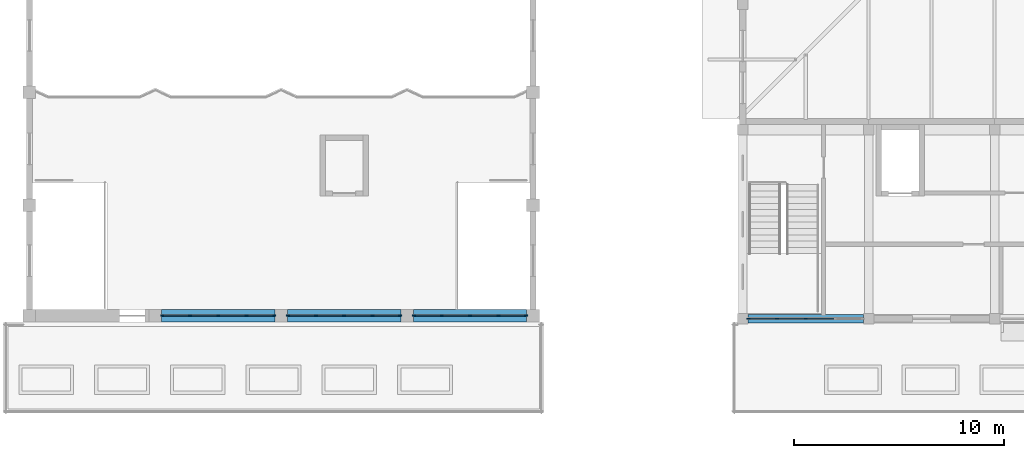
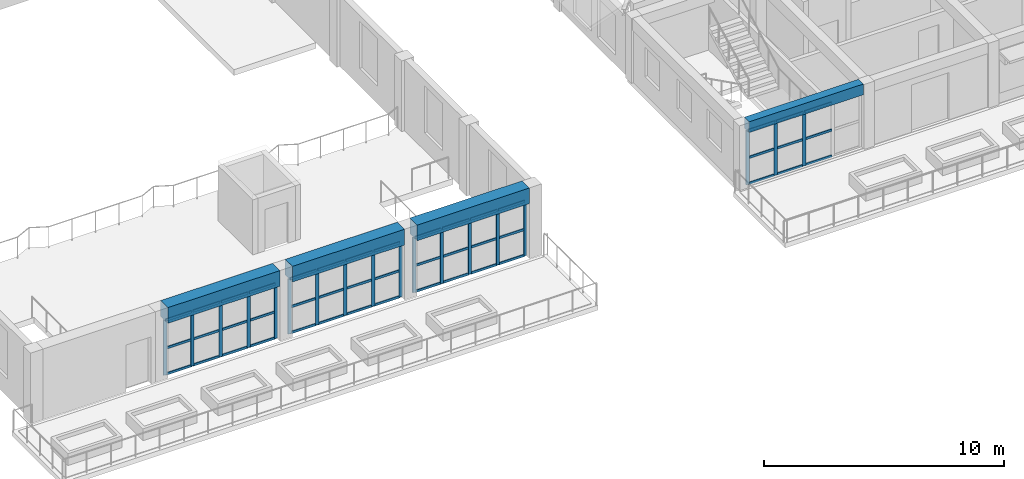
# One storey, part 7 of 82: 63 members, 4 beams, 4 elements without a shape of their own.
"""IFC4 building model written with IfcOpenShell, lengths in metres."""

from ifc_helpers import new_model, si_unit, direction, frame, origin, origin_2d, place, context, subcontext, project, spatial, rectangle, extrude, material, material_profile, profile_set, type_object, element, aggregate, save


model = new_model("IFC4")

# Units and contexts
model_context = context("Model", 3, precision=1e-05, world=origin(), true_north=direction((0.0, 1.0)))
body_context = subcontext(model_context, "Body", "Model", "MODEL_VIEW")
ifc_project = project(units=[si_unit("LENGTHUNIT", "METRE"), si_unit("AREAUNIT", "SQUARE_METRE"), si_unit("VOLUMEUNIT", "CUBIC_METRE"), si_unit("PLANEANGLEUNIT", "RADIAN"), si_unit("MASSUNIT", "GRAM", prefix="KILO")], contexts=[model_context])

# Site, building, storey
site_placement = place(None, origin())
site = spatial("IfcSite", under=ifc_project, at=site_placement, CompositionType="ELEMENT")
building_placement = place(site_placement, origin())
building = spatial("IfcBuilding", under=site, at=building_placement, Name="Elbe Cascade School", CompositionType="ELEMENT")
storey_placement = place(building_placement, frame((0.0, 0.0, 4.5)))
storey = spatial("IfcBuildingStorey", under=building, at=storey_placement, Name="L01", CompositionType="ELEMENT", Elevation=4.5)

# Beams
ifc_material_1 = material(Name="Concrete C30/37", Category="concrete")
ifc_material_profile_1 = material_profile(ifc_material_1, rectangle(XDim=0.39990234375, YDim=0.550048828125, at=origin_2d()), Name="RC 400x550")
ifc_profile_set_1 = profile_set([ifc_material_profile_1], Name="Concrete C30/37")
beam_type_1 = type_object("IfcBeamType", Name="Assembly hall beam RC 400x550", PredefinedType="BEAM", material=ifc_profile_set_1)
beam_placement = place(storey_placement, frame((39.25, 6.0, 3.02490234375), z_axis=(1.0, 0.0, 0.0), x_axis=(0.0, 1.0, 0.0)))
element("IfcBeam", 1, at=beam_placement, inside=storey, type_object=beam_type_1, Name="Assembly hall beam RC 400x550 B21", PredefinedType="BEAM", context=body_context, shape_type="SweptSolid", body=[
    extrude(rectangle(XDim=0.39990234375, YDim=0.550048828125, at=origin_2d()), origin(), (0.0, 0.0, 1.0), 5.5),
])
ifc_material_2 = material(Name="Concrete C30/37", Category="concrete")
ifc_material_profile_2 = material_profile(ifc_material_2, rectangle(XDim=0.60009765625, YDim=0.800048828125, at=origin_2d()), Name="RC 600x800")
ifc_profile_set_2 = profile_set([ifc_material_profile_2], Name="Concrete C30/37")
beam_type_2 = type_object("IfcBeamType", Name="Assembly hall beam RC 600x800", PredefinedType="BEAM", material=ifc_profile_set_2)
for number, where, z_axis, x_axis, name in (
    (2, (11.300048828125, 6.14990234375, 3.199951171875), (1.0, 0.0, 0.0), (0.0, 1.0, 0.0), "Assembly hall beam RC 600x800 B16"),
    (3, (17.300048828125, 6.14990234375, 3.199951171875), (1.0, 0.0, 0.0), (0.0, 1.0, 0.0), "Assembly hall beam RC 600x800 B16"),
    (4, (23.300048828125, 6.14990234375, 3.199951171875), (1.0, 0.0, 0.0), (0.0, 1.0, 0.0), "Assembly hall beam RC 600x800 B16"),
):
    element("IfcBeam", number, at=place(storey_placement, frame(where, z_axis=z_axis, x_axis=x_axis)), inside=storey, type_object=beam_type_2, Name=name, PredefinedType="BEAM", context=body_context, shape_type="SweptSolid", body=[
        extrude(rectangle(XDim=0.60009765625, YDim=0.800048828125, at=origin_2d()), origin(), (0.0, 0.0, 1.0), 5.39990234375),
    ])

# Curtain wall, members
ifc_material_3 = material(Name="Assembly hall curtain wall")
curtain_wall_type_1 = type_object("IfcCurtainWallType", Name="Assembly hall curtain wall", PredefinedType="NOTDEFINED", material=ifc_material_3)
curtain_wall_1_placement = place(storey_placement, origin())
curtain_wall_1 = element("IfcCurtainWall", 5, at=curtain_wall_1_placement, inside=storey, type_object=curtain_wall_type_1, Name="Curtain wall CW8 AU.L01.cw.s1", PredefinedType="NOTDEFINED")
ifc_material_4 = material(Name="Aluminium - bronze anodised", Category="aluminium")
ifc_material_profile_3 = material_profile(ifc_material_4, rectangle(XDim=0.06005859375, YDim=0.159912109375, at=origin_2d()), Name="RECT 60x160")
ifc_profile_set_3 = profile_set([ifc_material_profile_3], Name="Aluminium - bronze anodised")
member_type_1 = type_object("IfcMemberType", Name="Assembly hall curtain wall mullion 60 x 160", PredefinedType="MULLION", material=ifc_profile_set_3)
member_1_placement = place(storey_placement, frame((11.330078125, 6.14990234375, 0.0), z_axis=(0.0, 0.0, 1.0), x_axis=(0.0, 1.0, 0.0)))
member_1 = element("IfcMember", 6, at=member_1_placement, type_object=member_type_1, Name="CW8 mullion 1", PredefinedType="MULLION", context=body_context, shape_type="SweptSolid", body=[
    extrude(rectangle(XDim=0.06005859375, YDim=0.159912109375, at=origin_2d()), origin(), (0.0, 0.0, 1.0), 2.800048828125),
])
member_2_placement = place(storey_placement, frame((12.64990234375, 6.14990234375, 0.0), z_axis=(0.0, 0.0, 1.0), x_axis=(0.0, 1.0, 0.0)))
member_2 = element("IfcMember", 7, at=member_2_placement, type_object=member_type_1, Name="CW8 mullion 2", PredefinedType="MULLION", context=body_context, shape_type="SweptSolid", body=[
    extrude(rectangle(XDim=0.06005859375, YDim=0.159912109375, at=origin_2d()), origin(), (0.0, 0.0, 1.0), 2.800048828125),
])
member_3_placement = place(storey_placement, frame((14.0, 6.14990234375, 0.0), z_axis=(0.0, 0.0, 1.0), x_axis=(0.0, 1.0, 0.0)))
member_3 = element("IfcMember", 8, at=member_3_placement, type_object=member_type_1, Name="CW8 mullion 3", PredefinedType="MULLION", context=body_context, shape_type="SweptSolid", body=[
    extrude(rectangle(XDim=0.06005859375, YDim=0.159912109375, at=origin_2d()), origin(), (0.0, 0.0, 1.0), 2.800048828125),
])
member_4_placement = place(storey_placement, frame((15.35009765625, 6.14990234375, 0.0), z_axis=(0.0, 0.0, 1.0), x_axis=(0.0, 1.0, 0.0)))
member_4 = element("IfcMember", 9, at=member_4_placement, type_object=member_type_1, Name="CW8 mullion 4", PredefinedType="MULLION", context=body_context, shape_type="SweptSolid", body=[
    extrude(rectangle(XDim=0.06005859375, YDim=0.159912109375, at=origin_2d()), origin(), (0.0, 0.0, 1.0), 2.800048828125),
])
member_5_placement = place(storey_placement, frame((16.669921875, 6.14990234375, 0.0), z_axis=(0.0, 0.0, 1.0), x_axis=(0.0, 1.0, 0.0)))
member_5 = element("IfcMember", 10, at=member_5_placement, type_object=member_type_1, Name="CW8 mullion 5", PredefinedType="MULLION", context=body_context, shape_type="SweptSolid", body=[
    extrude(rectangle(XDim=0.06005859375, YDim=0.159912109375, at=origin_2d()), origin(), (0.0, 0.0, 1.0), 2.800048828125),
])

curtain_wall_2_placement = place(storey_placement, origin())
curtain_wall_2 = element("IfcCurtainWall", 11, at=curtain_wall_2_placement, inside=storey, type_object=curtain_wall_type_1, Name="Curtain wall CW8 AU.L01.cw.s2", PredefinedType="NOTDEFINED")
member_6_placement = place(storey_placement, frame((17.330078125, 6.14990234375, 0.0), z_axis=(0.0, 0.0, 1.0), x_axis=(0.0, 1.0, 0.0)))
member_6 = element("IfcMember", 12, at=member_6_placement, type_object=member_type_1, Name="CW8 mullion 1", PredefinedType="MULLION", context=body_context, shape_type="SweptSolid", body=[
    extrude(rectangle(XDim=0.06005859375, YDim=0.159912109375, at=origin_2d()), origin(), (0.0, 0.0, 1.0), 2.800048828125),
])
member_7_placement = place(storey_placement, frame((18.64990234375, 6.14990234375, 0.0), z_axis=(0.0, 0.0, 1.0), x_axis=(0.0, 1.0, 0.0)))
member_7 = element("IfcMember", 13, at=member_7_placement, type_object=member_type_1, Name="CW8 mullion 2", PredefinedType="MULLION", context=body_context, shape_type="SweptSolid", body=[
    extrude(rectangle(XDim=0.06005859375, YDim=0.159912109375, at=origin_2d()), origin(), (0.0, 0.0, 1.0), 2.800048828125),
])
member_8_placement = place(storey_placement, frame((20.0, 6.14990234375, 0.0), z_axis=(0.0, 0.0, 1.0), x_axis=(0.0, 1.0, 0.0)))
member_8 = element("IfcMember", 14, at=member_8_placement, type_object=member_type_1, Name="CW8 mullion 3", PredefinedType="MULLION", context=body_context, shape_type="SweptSolid", body=[
    extrude(rectangle(XDim=0.06005859375, YDim=0.159912109375, at=origin_2d()), origin(), (0.0, 0.0, 1.0), 2.800048828125),
])
member_9_placement = place(storey_placement, frame((21.35009765625, 6.14990234375, 0.0), z_axis=(0.0, 0.0, 1.0), x_axis=(0.0, 1.0, 0.0)))
member_9 = element("IfcMember", 15, at=member_9_placement, type_object=member_type_1, Name="CW8 mullion 4", PredefinedType="MULLION", context=body_context, shape_type="SweptSolid", body=[
    extrude(rectangle(XDim=0.06005859375, YDim=0.159912109375, at=origin_2d()), origin(), (0.0, 0.0, 1.0), 2.800048828125),
])
member_10_placement = place(storey_placement, frame((22.669921875, 6.14990234375, 0.0), z_axis=(0.0, 0.0, 1.0), x_axis=(0.0, 1.0, 0.0)))
member_10 = element("IfcMember", 16, at=member_10_placement, type_object=member_type_1, Name="CW8 mullion 5", PredefinedType="MULLION", context=body_context, shape_type="SweptSolid", body=[
    extrude(rectangle(XDim=0.06005859375, YDim=0.159912109375, at=origin_2d()), origin(), (0.0, 0.0, 1.0), 2.800048828125),
])

curtain_wall_3_placement = place(storey_placement, origin())
curtain_wall_3 = element("IfcCurtainWall", 17, at=curtain_wall_3_placement, inside=storey, type_object=curtain_wall_type_1, Name="Curtain wall CW8 AU.L01.cw.s3", PredefinedType="NOTDEFINED")
member_11_placement = place(storey_placement, frame((23.330078125, 6.14990234375, 0.0), z_axis=(0.0, 0.0, 1.0), x_axis=(0.0, 1.0, 0.0)))
member_11 = element("IfcMember", 18, at=member_11_placement, type_object=member_type_1, Name="CW8 mullion 1", PredefinedType="MULLION", context=body_context, shape_type="SweptSolid", body=[
    extrude(rectangle(XDim=0.06005859375, YDim=0.159912109375, at=origin_2d()), origin(), (0.0, 0.0, 1.0), 2.800048828125),
])
member_12_placement = place(storey_placement, frame((24.64990234375, 6.14990234375, 0.0), z_axis=(0.0, 0.0, 1.0), x_axis=(0.0, 1.0, 0.0)))
member_12 = element("IfcMember", 19, at=member_12_placement, type_object=member_type_1, Name="CW8 mullion 2", PredefinedType="MULLION", context=body_context, shape_type="SweptSolid", body=[
    extrude(rectangle(XDim=0.06005859375, YDim=0.159912109375, at=origin_2d()), origin(), (0.0, 0.0, 1.0), 2.800048828125),
])
member_13_placement = place(storey_placement, frame((26.0, 6.14990234375, 0.0), z_axis=(0.0, 0.0, 1.0), x_axis=(0.0, 1.0, 0.0)))
member_13 = element("IfcMember", 20, at=member_13_placement, type_object=member_type_1, Name="CW8 mullion 3", PredefinedType="MULLION", context=body_context, shape_type="SweptSolid", body=[
    extrude(rectangle(XDim=0.06005859375, YDim=0.159912109375, at=origin_2d()), origin(), (0.0, 0.0, 1.0), 2.800048828125),
])
member_14_placement = place(storey_placement, frame((27.35009765625, 6.14990234375, 0.0), z_axis=(0.0, 0.0, 1.0), x_axis=(0.0, 1.0, 0.0)))
member_14 = element("IfcMember", 21, at=member_14_placement, type_object=member_type_1, Name="CW8 mullion 4", PredefinedType="MULLION", context=body_context, shape_type="SweptSolid", body=[
    extrude(rectangle(XDim=0.06005859375, YDim=0.159912109375, at=origin_2d()), origin(), (0.0, 0.0, 1.0), 2.800048828125),
])
member_15_placement = place(storey_placement, frame((28.669921875, 6.14990234375, 0.0), z_axis=(0.0, 0.0, 1.0), x_axis=(0.0, 1.0, 0.0)))
member_15 = element("IfcMember", 22, at=member_15_placement, type_object=member_type_1, Name="CW8 mullion 5", PredefinedType="MULLION", context=body_context, shape_type="SweptSolid", body=[
    extrude(rectangle(XDim=0.06005859375, YDim=0.159912109375, at=origin_2d()), origin(), (0.0, 0.0, 1.0), 2.800048828125),
])

# Member
ifc_material_5 = material(Name="Aluminium - bronze anodised", Category="aluminium")
ifc_material_profile_4 = material_profile(ifc_material_5, rectangle(XDim=0.06005859375, YDim=0.1201171875, at=origin_2d()), Name="RECT 60x120")
ifc_profile_set_4 = profile_set([ifc_material_profile_4], Name="Aluminium - bronze anodised")
member_type_2 = type_object("IfcMemberType", Name="Assembly hall curtain wall transom 60 x 120", PredefinedType="USERDEFINED", material=ifc_profile_set_4)
member_16_placement = place(storey_placement, frame((11.360107421875, 6.14990234375, 0.030029296875), z_axis=(1.0, 0.0, 0.0), x_axis=(0.0, 1.0, 0.0)))
member_16 = element("IfcMember", 23, at=member_16_placement, type_object=member_type_2, Name="CW8 transom 1.1", ObjectType="TRANSOM", PredefinedType="USERDEFINED", context=body_context, shape_type="SweptSolid", body=[
    extrude(rectangle(XDim=0.06005859375, YDim=0.1201171875, at=origin_2d()), origin(), (0.0, 0.0, 1.0), 1.260009765625),
])

member_17_placement = place(storey_placement, frame((11.360107421875, 6.14990234375, 1.35009765625), z_axis=(1.0, 0.0, 0.0), x_axis=(0.0, 1.0, 0.0)))
member_17 = element("IfcMember", 24, at=member_17_placement, type_object=member_type_2, Name="CW8 transom 1.2", ObjectType="TRANSOM", PredefinedType="USERDEFINED", context=body_context, shape_type="SweptSolid", body=[
    extrude(rectangle(XDim=0.06005859375, YDim=0.1201171875, at=origin_2d()), origin(), (0.0, 0.0, 1.0), 1.260009765625),
])

member_18_placement = place(storey_placement, frame((11.360107421875, 6.14990234375, 2.77001953125), z_axis=(1.0, 0.0, 0.0), x_axis=(0.0, 1.0, 0.0)))
member_18 = element("IfcMember", 25, at=member_18_placement, type_object=member_type_2, Name="CW8 transom 1.3", ObjectType="TRANSOM", PredefinedType="USERDEFINED", context=body_context, shape_type="SweptSolid", body=[
    extrude(rectangle(XDim=0.06005859375, YDim=0.1201171875, at=origin_2d()), origin(), (0.0, 0.0, 1.0), 1.260009765625),
])

member_19_placement = place(storey_placement, frame((12.679931640625, 6.14990234375, 0.030029296875), z_axis=(1.0, 0.0, 0.0), x_axis=(0.0, 1.0, 0.0)))
member_19 = element("IfcMember", 26, at=member_19_placement, type_object=member_type_2, Name="CW8 transom 2.1", ObjectType="TRANSOM", PredefinedType="USERDEFINED", context=body_context, shape_type="SweptSolid", body=[
    extrude(rectangle(XDim=0.06005859375, YDim=0.1201171875, at=origin_2d()), origin(), (0.0, 0.0, 1.0), 1.2900390625),
])

member_20_placement = place(storey_placement, frame((12.679931640625, 6.14990234375, 1.35009765625), z_axis=(1.0, 0.0, 0.0), x_axis=(0.0, 1.0, 0.0)))
member_20 = element("IfcMember", 27, at=member_20_placement, type_object=member_type_2, Name="CW8 transom 2.2", ObjectType="TRANSOM", PredefinedType="USERDEFINED", context=body_context, shape_type="SweptSolid", body=[
    extrude(rectangle(XDim=0.06005859375, YDim=0.1201171875, at=origin_2d()), origin(), (0.0, 0.0, 1.0), 1.2900390625),
])

member_21_placement = place(storey_placement, frame((12.679931640625, 6.14990234375, 2.77001953125), z_axis=(1.0, 0.0, 0.0), x_axis=(0.0, 1.0, 0.0)))
member_21 = element("IfcMember", 28, at=member_21_placement, type_object=member_type_2, Name="CW8 transom 2.3", ObjectType="TRANSOM", PredefinedType="USERDEFINED", context=body_context, shape_type="SweptSolid", body=[
    extrude(rectangle(XDim=0.06005859375, YDim=0.1201171875, at=origin_2d()), origin(), (0.0, 0.0, 1.0), 1.2900390625),
])

member_22_placement = place(storey_placement, frame((14.030029296875, 6.14990234375, 0.030029296875), z_axis=(1.0, 0.0, 0.0), x_axis=(0.0, 1.0, 0.0)))
member_22 = element("IfcMember", 29, at=member_22_placement, type_object=member_type_2, Name="CW8 transom 3.1", ObjectType="TRANSOM", PredefinedType="USERDEFINED", context=body_context, shape_type="SweptSolid", body=[
    extrude(rectangle(XDim=0.06005859375, YDim=0.1201171875, at=origin_2d()), origin(), (0.0, 0.0, 1.0), 1.2900390625),
])

member_23_placement = place(storey_placement, frame((14.030029296875, 6.14990234375, 1.35009765625), z_axis=(1.0, 0.0, 0.0), x_axis=(0.0, 1.0, 0.0)))
member_23 = element("IfcMember", 30, at=member_23_placement, type_object=member_type_2, Name="CW8 transom 3.2", ObjectType="TRANSOM", PredefinedType="USERDEFINED", context=body_context, shape_type="SweptSolid", body=[
    extrude(rectangle(XDim=0.06005859375, YDim=0.1201171875, at=origin_2d()), origin(), (0.0, 0.0, 1.0), 1.2900390625),
])

member_24_placement = place(storey_placement, frame((14.030029296875, 6.14990234375, 2.77001953125), z_axis=(1.0, 0.0, 0.0), x_axis=(0.0, 1.0, 0.0)))
member_24 = element("IfcMember", 31, at=member_24_placement, type_object=member_type_2, Name="CW8 transom 3.3", ObjectType="TRANSOM", PredefinedType="USERDEFINED", context=body_context, shape_type="SweptSolid", body=[
    extrude(rectangle(XDim=0.06005859375, YDim=0.1201171875, at=origin_2d()), origin(), (0.0, 0.0, 1.0), 1.2900390625),
])

member_25_placement = place(storey_placement, frame((15.3798828125, 6.14990234375, 0.030029296875), z_axis=(1.0, 0.0, 0.0), x_axis=(0.0, 1.0, 0.0)))
member_25 = element("IfcMember", 32, at=member_25_placement, type_object=member_type_2, Name="CW8 transom 4.1", ObjectType="TRANSOM", PredefinedType="USERDEFINED", context=body_context, shape_type="SweptSolid", body=[
    extrude(rectangle(XDim=0.06005859375, YDim=0.1201171875, at=origin_2d()), origin(), (0.0, 0.0, 1.0), 1.260009765625),
])

member_26_placement = place(storey_placement, frame((15.3798828125, 6.14990234375, 1.35009765625), z_axis=(1.0, 0.0, 0.0), x_axis=(0.0, 1.0, 0.0)))
member_26 = element("IfcMember", 33, at=member_26_placement, type_object=member_type_2, Name="CW8 transom 4.2", ObjectType="TRANSOM", PredefinedType="USERDEFINED", context=body_context, shape_type="SweptSolid", body=[
    extrude(rectangle(XDim=0.06005859375, YDim=0.1201171875, at=origin_2d()), origin(), (0.0, 0.0, 1.0), 1.260009765625),
])

member_27_placement = place(storey_placement, frame((15.3798828125, 6.14990234375, 2.77001953125), z_axis=(1.0, 0.0, 0.0), x_axis=(0.0, 1.0, 0.0)))
member_27 = element("IfcMember", 34, at=member_27_placement, type_object=member_type_2, Name="CW8 transom 4.3", ObjectType="TRANSOM", PredefinedType="USERDEFINED", context=body_context, shape_type="SweptSolid", body=[
    extrude(rectangle(XDim=0.06005859375, YDim=0.1201171875, at=origin_2d()), origin(), (0.0, 0.0, 1.0), 1.260009765625),
])

aggregate(curtain_wall_1, [member_1, member_2, member_3, member_4, member_5, member_16, member_17, member_18, member_19, member_20, member_21, member_22, member_23, member_24, member_25, member_26, member_27])

member_28_placement = place(storey_placement, frame((17.360107421875, 6.14990234375, 0.030029296875), z_axis=(1.0, 0.0, 0.0), x_axis=(0.0, 1.0, 0.0)))
member_28 = element("IfcMember", 35, at=member_28_placement, type_object=member_type_2, Name="CW8 transom 1.1", ObjectType="TRANSOM", PredefinedType="USERDEFINED", context=body_context, shape_type="SweptSolid", body=[
    extrude(rectangle(XDim=0.06005859375, YDim=0.1201171875, at=origin_2d()), origin(), (0.0, 0.0, 1.0), 1.260009765625),
])

member_29_placement = place(storey_placement, frame((17.360107421875, 6.14990234375, 1.35009765625), z_axis=(1.0, 0.0, 0.0), x_axis=(0.0, 1.0, 0.0)))
member_29 = element("IfcMember", 36, at=member_29_placement, type_object=member_type_2, Name="CW8 transom 1.2", ObjectType="TRANSOM", PredefinedType="USERDEFINED", context=body_context, shape_type="SweptSolid", body=[
    extrude(rectangle(XDim=0.06005859375, YDim=0.1201171875, at=origin_2d()), origin(), (0.0, 0.0, 1.0), 1.260009765625),
])

member_30_placement = place(storey_placement, frame((17.360107421875, 6.14990234375, 2.77001953125), z_axis=(1.0, 0.0, 0.0), x_axis=(0.0, 1.0, 0.0)))
member_30 = element("IfcMember", 37, at=member_30_placement, type_object=member_type_2, Name="CW8 transom 1.3", ObjectType="TRANSOM", PredefinedType="USERDEFINED", context=body_context, shape_type="SweptSolid", body=[
    extrude(rectangle(XDim=0.06005859375, YDim=0.1201171875, at=origin_2d()), origin(), (0.0, 0.0, 1.0), 1.260009765625),
])

member_31_placement = place(storey_placement, frame((18.679931640625, 6.14990234375, 0.030029296875), z_axis=(1.0, 0.0, 0.0), x_axis=(0.0, 1.0, 0.0)))
member_31 = element("IfcMember", 38, at=member_31_placement, type_object=member_type_2, Name="CW8 transom 2.1", ObjectType="TRANSOM", PredefinedType="USERDEFINED", context=body_context, shape_type="SweptSolid", body=[
    extrude(rectangle(XDim=0.06005859375, YDim=0.1201171875, at=origin_2d()), origin(), (0.0, 0.0, 1.0), 1.2900390625),
])

member_32_placement = place(storey_placement, frame((18.679931640625, 6.14990234375, 1.35009765625), z_axis=(1.0, 0.0, 0.0), x_axis=(0.0, 1.0, 0.0)))
member_32 = element("IfcMember", 39, at=member_32_placement, type_object=member_type_2, Name="CW8 transom 2.2", ObjectType="TRANSOM", PredefinedType="USERDEFINED", context=body_context, shape_type="SweptSolid", body=[
    extrude(rectangle(XDim=0.06005859375, YDim=0.1201171875, at=origin_2d()), origin(), (0.0, 0.0, 1.0), 1.2900390625),
])

member_33_placement = place(storey_placement, frame((18.679931640625, 6.14990234375, 2.77001953125), z_axis=(1.0, 0.0, 0.0), x_axis=(0.0, 1.0, 0.0)))
member_33 = element("IfcMember", 40, at=member_33_placement, type_object=member_type_2, Name="CW8 transom 2.3", ObjectType="TRANSOM", PredefinedType="USERDEFINED", context=body_context, shape_type="SweptSolid", body=[
    extrude(rectangle(XDim=0.06005859375, YDim=0.1201171875, at=origin_2d()), origin(), (0.0, 0.0, 1.0), 1.2900390625),
])

member_34_placement = place(storey_placement, frame((20.030029296875, 6.14990234375, 0.030029296875), z_axis=(1.0, 0.0, 0.0), x_axis=(0.0, 1.0, 0.0)))
member_34 = element("IfcMember", 41, at=member_34_placement, type_object=member_type_2, Name="CW8 transom 3.1", ObjectType="TRANSOM", PredefinedType="USERDEFINED", context=body_context, shape_type="SweptSolid", body=[
    extrude(rectangle(XDim=0.06005859375, YDim=0.1201171875, at=origin_2d()), origin(), (0.0, 0.0, 1.0), 1.2900390625),
])

member_35_placement = place(storey_placement, frame((20.030029296875, 6.14990234375, 1.35009765625), z_axis=(1.0, 0.0, 0.0), x_axis=(0.0, 1.0, 0.0)))
member_35 = element("IfcMember", 42, at=member_35_placement, type_object=member_type_2, Name="CW8 transom 3.2", ObjectType="TRANSOM", PredefinedType="USERDEFINED", context=body_context, shape_type="SweptSolid", body=[
    extrude(rectangle(XDim=0.06005859375, YDim=0.1201171875, at=origin_2d()), origin(), (0.0, 0.0, 1.0), 1.2900390625),
])

member_36_placement = place(storey_placement, frame((20.030029296875, 6.14990234375, 2.77001953125), z_axis=(1.0, 0.0, 0.0), x_axis=(0.0, 1.0, 0.0)))
member_36 = element("IfcMember", 43, at=member_36_placement, type_object=member_type_2, Name="CW8 transom 3.3", ObjectType="TRANSOM", PredefinedType="USERDEFINED", context=body_context, shape_type="SweptSolid", body=[
    extrude(rectangle(XDim=0.06005859375, YDim=0.1201171875, at=origin_2d()), origin(), (0.0, 0.0, 1.0), 1.2900390625),
])

member_37_placement = place(storey_placement, frame((21.3798828125, 6.14990234375, 0.030029296875), z_axis=(1.0, 0.0, 0.0), x_axis=(0.0, 1.0, 0.0)))
member_37 = element("IfcMember", 44, at=member_37_placement, type_object=member_type_2, Name="CW8 transom 4.1", ObjectType="TRANSOM", PredefinedType="USERDEFINED", context=body_context, shape_type="SweptSolid", body=[
    extrude(rectangle(XDim=0.06005859375, YDim=0.1201171875, at=origin_2d()), origin(), (0.0, 0.0, 1.0), 1.260009765625),
])

member_38_placement = place(storey_placement, frame((21.3798828125, 6.14990234375, 1.35009765625), z_axis=(1.0, 0.0, 0.0), x_axis=(0.0, 1.0, 0.0)))
member_38 = element("IfcMember", 45, at=member_38_placement, type_object=member_type_2, Name="CW8 transom 4.2", ObjectType="TRANSOM", PredefinedType="USERDEFINED", context=body_context, shape_type="SweptSolid", body=[
    extrude(rectangle(XDim=0.06005859375, YDim=0.1201171875, at=origin_2d()), origin(), (0.0, 0.0, 1.0), 1.260009765625),
])

member_39_placement = place(storey_placement, frame((21.3798828125, 6.14990234375, 2.77001953125), z_axis=(1.0, 0.0, 0.0), x_axis=(0.0, 1.0, 0.0)))
member_39 = element("IfcMember", 46, at=member_39_placement, type_object=member_type_2, Name="CW8 transom 4.3", ObjectType="TRANSOM", PredefinedType="USERDEFINED", context=body_context, shape_type="SweptSolid", body=[
    extrude(rectangle(XDim=0.06005859375, YDim=0.1201171875, at=origin_2d()), origin(), (0.0, 0.0, 1.0), 1.260009765625),
])

aggregate(curtain_wall_2, [member_6, member_7, member_8, member_9, member_10, member_28, member_29, member_30, member_31, member_32, member_33, member_34, member_35, member_36, member_37, member_38, member_39])

member_40_placement = place(storey_placement, frame((23.360107421875, 6.14990234375, 0.030029296875), z_axis=(1.0, 0.0, 0.0), x_axis=(0.0, 1.0, 0.0)))
member_40 = element("IfcMember", 47, at=member_40_placement, type_object=member_type_2, Name="CW8 transom 1.1", ObjectType="TRANSOM", PredefinedType="USERDEFINED", context=body_context, shape_type="SweptSolid", body=[
    extrude(rectangle(XDim=0.06005859375, YDim=0.1201171875, at=origin_2d()), origin(), (0.0, 0.0, 1.0), 1.260009765625),
])

member_41_placement = place(storey_placement, frame((23.360107421875, 6.14990234375, 1.35009765625), z_axis=(1.0, 0.0, 0.0), x_axis=(0.0, 1.0, 0.0)))
member_41 = element("IfcMember", 48, at=member_41_placement, type_object=member_type_2, Name="CW8 transom 1.2", ObjectType="TRANSOM", PredefinedType="USERDEFINED", context=body_context, shape_type="SweptSolid", body=[
    extrude(rectangle(XDim=0.06005859375, YDim=0.1201171875, at=origin_2d()), origin(), (0.0, 0.0, 1.0), 1.260009765625),
])

member_42_placement = place(storey_placement, frame((23.360107421875, 6.14990234375, 2.77001953125), z_axis=(1.0, 0.0, 0.0), x_axis=(0.0, 1.0, 0.0)))
member_42 = element("IfcMember", 49, at=member_42_placement, type_object=member_type_2, Name="CW8 transom 1.3", ObjectType="TRANSOM", PredefinedType="USERDEFINED", context=body_context, shape_type="SweptSolid", body=[
    extrude(rectangle(XDim=0.06005859375, YDim=0.1201171875, at=origin_2d()), origin(), (0.0, 0.0, 1.0), 1.260009765625),
])

member_43_placement = place(storey_placement, frame((24.679931640625, 6.14990234375, 0.030029296875), z_axis=(1.0, 0.0, 0.0), x_axis=(0.0, 1.0, 0.0)))
member_43 = element("IfcMember", 50, at=member_43_placement, type_object=member_type_2, Name="CW8 transom 2.1", ObjectType="TRANSOM", PredefinedType="USERDEFINED", context=body_context, shape_type="SweptSolid", body=[
    extrude(rectangle(XDim=0.06005859375, YDim=0.1201171875, at=origin_2d()), origin(), (0.0, 0.0, 1.0), 1.2900390625),
])

member_44_placement = place(storey_placement, frame((24.679931640625, 6.14990234375, 1.35009765625), z_axis=(1.0, 0.0, 0.0), x_axis=(0.0, 1.0, 0.0)))
member_44 = element("IfcMember", 51, at=member_44_placement, type_object=member_type_2, Name="CW8 transom 2.2", ObjectType="TRANSOM", PredefinedType="USERDEFINED", context=body_context, shape_type="SweptSolid", body=[
    extrude(rectangle(XDim=0.06005859375, YDim=0.1201171875, at=origin_2d()), origin(), (0.0, 0.0, 1.0), 1.2900390625),
])

member_45_placement = place(storey_placement, frame((24.679931640625, 6.14990234375, 2.77001953125), z_axis=(1.0, 0.0, 0.0), x_axis=(0.0, 1.0, 0.0)))
member_45 = element("IfcMember", 52, at=member_45_placement, type_object=member_type_2, Name="CW8 transom 2.3", ObjectType="TRANSOM", PredefinedType="USERDEFINED", context=body_context, shape_type="SweptSolid", body=[
    extrude(rectangle(XDim=0.06005859375, YDim=0.1201171875, at=origin_2d()), origin(), (0.0, 0.0, 1.0), 1.2900390625),
])

member_46_placement = place(storey_placement, frame((26.030029296875, 6.14990234375, 0.030029296875), z_axis=(1.0, 0.0, 0.0), x_axis=(0.0, 1.0, 0.0)))
member_46 = element("IfcMember", 53, at=member_46_placement, type_object=member_type_2, Name="CW8 transom 3.1", ObjectType="TRANSOM", PredefinedType="USERDEFINED", context=body_context, shape_type="SweptSolid", body=[
    extrude(rectangle(XDim=0.06005859375, YDim=0.1201171875, at=origin_2d()), origin(), (0.0, 0.0, 1.0), 1.2900390625),
])

member_47_placement = place(storey_placement, frame((26.030029296875, 6.14990234375, 1.35009765625), z_axis=(1.0, 0.0, 0.0), x_axis=(0.0, 1.0, 0.0)))
member_47 = element("IfcMember", 54, at=member_47_placement, type_object=member_type_2, Name="CW8 transom 3.2", ObjectType="TRANSOM", PredefinedType="USERDEFINED", context=body_context, shape_type="SweptSolid", body=[
    extrude(rectangle(XDim=0.06005859375, YDim=0.1201171875, at=origin_2d()), origin(), (0.0, 0.0, 1.0), 1.2900390625),
])

member_48_placement = place(storey_placement, frame((26.030029296875, 6.14990234375, 2.77001953125), z_axis=(1.0, 0.0, 0.0), x_axis=(0.0, 1.0, 0.0)))
member_48 = element("IfcMember", 55, at=member_48_placement, type_object=member_type_2, Name="CW8 transom 3.3", ObjectType="TRANSOM", PredefinedType="USERDEFINED", context=body_context, shape_type="SweptSolid", body=[
    extrude(rectangle(XDim=0.06005859375, YDim=0.1201171875, at=origin_2d()), origin(), (0.0, 0.0, 1.0), 1.2900390625),
])

member_49_placement = place(storey_placement, frame((27.3798828125, 6.14990234375, 0.030029296875), z_axis=(1.0, 0.0, 0.0), x_axis=(0.0, 1.0, 0.0)))
member_49 = element("IfcMember", 56, at=member_49_placement, type_object=member_type_2, Name="CW8 transom 4.1", ObjectType="TRANSOM", PredefinedType="USERDEFINED", context=body_context, shape_type="SweptSolid", body=[
    extrude(rectangle(XDim=0.06005859375, YDim=0.1201171875, at=origin_2d()), origin(), (0.0, 0.0, 1.0), 1.260009765625),
])

member_50_placement = place(storey_placement, frame((27.3798828125, 6.14990234375, 1.35009765625), z_axis=(1.0, 0.0, 0.0), x_axis=(0.0, 1.0, 0.0)))
member_50 = element("IfcMember", 57, at=member_50_placement, type_object=member_type_2, Name="CW8 transom 4.2", ObjectType="TRANSOM", PredefinedType="USERDEFINED", context=body_context, shape_type="SweptSolid", body=[
    extrude(rectangle(XDim=0.06005859375, YDim=0.1201171875, at=origin_2d()), origin(), (0.0, 0.0, 1.0), 1.260009765625),
])

member_51_placement = place(storey_placement, frame((27.3798828125, 6.14990234375, 2.77001953125), z_axis=(1.0, 0.0, 0.0), x_axis=(0.0, 1.0, 0.0)))
member_51 = element("IfcMember", 58, at=member_51_placement, type_object=member_type_2, Name="CW8 transom 4.3", ObjectType="TRANSOM", PredefinedType="USERDEFINED", context=body_context, shape_type="SweptSolid", body=[
    extrude(rectangle(XDim=0.06005859375, YDim=0.1201171875, at=origin_2d()), origin(), (0.0, 0.0, 1.0), 1.260009765625),
])

aggregate(curtain_wall_3, [member_11, member_12, member_13, member_14, member_15, member_40, member_41, member_42, member_43, member_44, member_45, member_46, member_47, member_48, member_49, member_50, member_51])

# Curtain wall, members
ifc_material_6 = material(Name="Cafe curtain wall")
curtain_wall_type_2 = type_object("IfcCurtainWallType", Name="Cafe curtain wall", PredefinedType="NOTDEFINED", material=ifc_material_6)
curtain_wall_4_placement = place(storey_placement, origin())
curtain_wall_4 = element("IfcCurtainWall", 59, at=curtain_wall_4_placement, inside=storey, type_object=curtain_wall_type_2, Name="Curtain wall CW1 DI.L01.cw.s0", PredefinedType="NOTDEFINED")
ifc_material_7 = material(Name="Aluminium - bronze anodised", Category="aluminium")
ifc_material_profile_5 = material_profile(ifc_material_7, rectangle(XDim=0.06005859375, YDim=0.159912109375, at=origin_2d()), Name="RECT 60x160")
ifc_profile_set_5 = profile_set([ifc_material_profile_5], Name="Aluminium - bronze anodised")
member_type_3 = type_object("IfcMemberType", Name="Cafe curtain wall mullion 60 x 160", PredefinedType="MULLION", material=ifc_profile_set_5)
member_52_placement = place(storey_placement, frame((39.280029296875, 6.0, 0.0), z_axis=(0.0, 0.0, 1.0), x_axis=(0.0, 1.0, 0.0)))
member_52 = element("IfcMember", 60, at=member_52_placement, type_object=member_type_3, Name="CW1 mullion 1", PredefinedType="MULLION", context=body_context, shape_type="SweptSolid", body=[
    extrude(rectangle(XDim=0.06005859375, YDim=0.159912109375, at=origin_2d()), origin(), (0.0, 0.0, 1.0), 2.75),
])
member_53_placement = place(storey_placement, frame((40.625, 6.0, 0.0), z_axis=(0.0, 0.0, 1.0), x_axis=(0.0, 1.0, 0.0)))
member_53 = element("IfcMember", 61, at=member_53_placement, type_object=member_type_3, Name="CW1 mullion 2", PredefinedType="MULLION", context=body_context, shape_type="SweptSolid", body=[
    extrude(rectangle(XDim=0.06005859375, YDim=0.159912109375, at=origin_2d()), origin(), (0.0, 0.0, 1.0), 2.75),
])
member_54_placement = place(storey_placement, frame((42.0, 6.0, 0.0), z_axis=(0.0, 0.0, 1.0), x_axis=(0.0, 1.0, 0.0)))
member_54 = element("IfcMember", 62, at=member_54_placement, type_object=member_type_3, Name="CW1 mullion 3", PredefinedType="MULLION", context=body_context, shape_type="SweptSolid", body=[
    extrude(rectangle(XDim=0.06005859375, YDim=0.159912109375, at=origin_2d()), origin(), (0.0, 0.0, 1.0), 2.75),
])
ifc_material_8 = material(Name="Aluminium - bronze anodised", Category="aluminium")
ifc_material_profile_6 = material_profile(ifc_material_8, rectangle(XDim=0.06005859375, YDim=0.1201171875, at=origin_2d()), Name="RECT 60x120")
ifc_profile_set_6 = profile_set([ifc_material_profile_6], Name="Aluminium - bronze anodised")
member_type_4 = type_object("IfcMemberType", Name="Cafe curtain wall transom 60 x 120", PredefinedType="USERDEFINED", material=ifc_profile_set_6)
member_55_placement = place(storey_placement, frame((39.31005859375, 6.0, 0.030029296875), z_axis=(1.0, 0.0, 0.0), x_axis=(0.0, 1.0, 0.0)))
member_55 = element("IfcMember", 63, at=member_55_placement, type_object=member_type_4, Name="CW1 transom 1.1", ObjectType="TRANSOM", PredefinedType="USERDEFINED", context=body_context, shape_type="SweptSolid", body=[
    extrude(rectangle(XDim=0.06005859375, YDim=0.1201171875, at=origin_2d()), origin(), (0.0, 0.0, 1.0), 1.284912109375),
])
member_56_placement = place(storey_placement, frame((39.31005859375, 6.0, 1.35009765625), z_axis=(1.0, 0.0, 0.0), x_axis=(0.0, 1.0, 0.0)))
member_56 = element("IfcMember", 64, at=member_56_placement, type_object=member_type_4, Name="CW1 transom 1.2", ObjectType="TRANSOM", PredefinedType="USERDEFINED", context=body_context, shape_type="SweptSolid", body=[
    extrude(rectangle(XDim=0.06005859375, YDim=0.1201171875, at=origin_2d()), origin(), (0.0, 0.0, 1.0), 1.284912109375),
])
member_57_placement = place(storey_placement, frame((39.31005859375, 6.0, 2.719970703125), z_axis=(1.0, 0.0, 0.0), x_axis=(0.0, 1.0, 0.0)))
member_57 = element("IfcMember", 65, at=member_57_placement, type_object=member_type_4, Name="CW1 transom 1.3", ObjectType="TRANSOM", PredefinedType="USERDEFINED", context=body_context, shape_type="SweptSolid", body=[
    extrude(rectangle(XDim=0.06005859375, YDim=0.1201171875, at=origin_2d()), origin(), (0.0, 0.0, 1.0), 1.284912109375),
])
member_58_placement = place(storey_placement, frame((40.655029296875, 6.0, 0.030029296875), z_axis=(1.0, 0.0, 0.0), x_axis=(0.0, 1.0, 0.0)))
member_58 = element("IfcMember", 66, at=member_58_placement, type_object=member_type_4, Name="CW1 transom 2.1", ObjectType="TRANSOM", PredefinedType="USERDEFINED", context=body_context, shape_type="SweptSolid", body=[
    extrude(rectangle(XDim=0.06005859375, YDim=0.1201171875, at=origin_2d()), origin(), (0.0, 0.0, 1.0), 1.31494140625),
])
member_59_placement = place(storey_placement, frame((40.655029296875, 6.0, 1.35009765625), z_axis=(1.0, 0.0, 0.0), x_axis=(0.0, 1.0, 0.0)))
member_59 = element("IfcMember", 67, at=member_59_placement, type_object=member_type_4, Name="CW1 transom 2.2", ObjectType="TRANSOM", PredefinedType="USERDEFINED", context=body_context, shape_type="SweptSolid", body=[
    extrude(rectangle(XDim=0.06005859375, YDim=0.1201171875, at=origin_2d()), origin(), (0.0, 0.0, 1.0), 1.31494140625),
])
member_60_placement = place(storey_placement, frame((40.655029296875, 6.0, 2.719970703125), z_axis=(1.0, 0.0, 0.0), x_axis=(0.0, 1.0, 0.0)))
member_60 = element("IfcMember", 68, at=member_60_placement, type_object=member_type_4, Name="CW1 transom 2.3", ObjectType="TRANSOM", PredefinedType="USERDEFINED", context=body_context, shape_type="SweptSolid", body=[
    extrude(rectangle(XDim=0.06005859375, YDim=0.1201171875, at=origin_2d()), origin(), (0.0, 0.0, 1.0), 1.31494140625),
])
member_61_placement = place(storey_placement, frame((42.030029296875, 6.0, 0.030029296875), z_axis=(1.0, 0.0, 0.0), x_axis=(0.0, 1.0, 0.0)))
member_61 = element("IfcMember", 69, at=member_61_placement, type_object=member_type_4, Name="CW1 transom 3.1", ObjectType="TRANSOM", PredefinedType="USERDEFINED", context=body_context, shape_type="SweptSolid", body=[
    extrude(rectangle(XDim=0.06005859375, YDim=0.1201171875, at=origin_2d()), origin(), (0.0, 0.0, 1.0), 1.31494140625),
])
member_62_placement = place(storey_placement, frame((42.030029296875, 6.0, 1.35009765625), z_axis=(1.0, 0.0, 0.0), x_axis=(0.0, 1.0, 0.0)))
member_62 = element("IfcMember", 70, at=member_62_placement, type_object=member_type_4, Name="CW1 transom 3.2", ObjectType="TRANSOM", PredefinedType="USERDEFINED", context=body_context, shape_type="SweptSolid", body=[
    extrude(rectangle(XDim=0.06005859375, YDim=0.1201171875, at=origin_2d()), origin(), (0.0, 0.0, 1.0), 1.31494140625),
])
member_63_placement = place(storey_placement, frame((42.030029296875, 6.0, 2.719970703125), z_axis=(1.0, 0.0, 0.0), x_axis=(0.0, 1.0, 0.0)))
member_63 = element("IfcMember", 71, at=member_63_placement, type_object=member_type_4, Name="CW1 transom 3.3", ObjectType="TRANSOM", PredefinedType="USERDEFINED", context=body_context, shape_type="SweptSolid", body=[
    extrude(rectangle(XDim=0.06005859375, YDim=0.1201171875, at=origin_2d()), origin(), (0.0, 0.0, 1.0), 1.31494140625),
])
aggregate(curtain_wall_4, [member_52, member_53, member_54, member_55, member_56, member_57, member_58, member_59, member_60, member_61, member_62, member_63])

save(model, "model.ifc")
